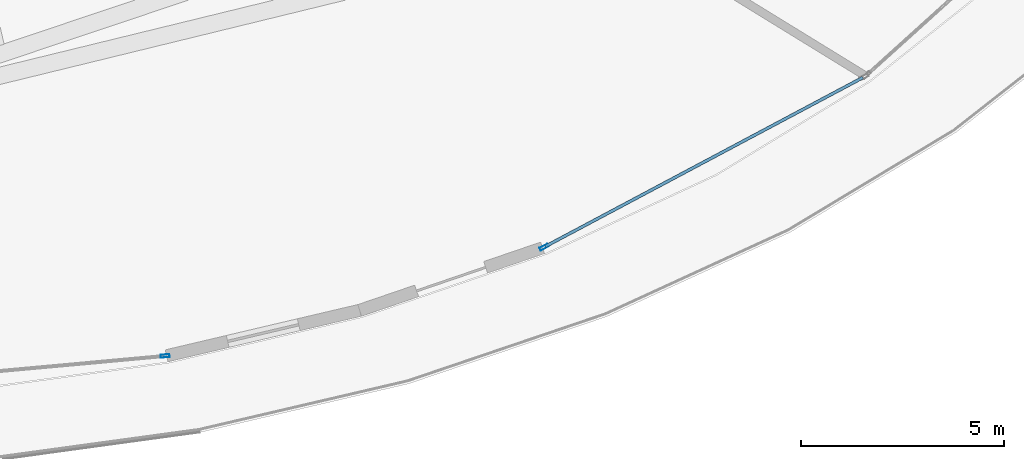
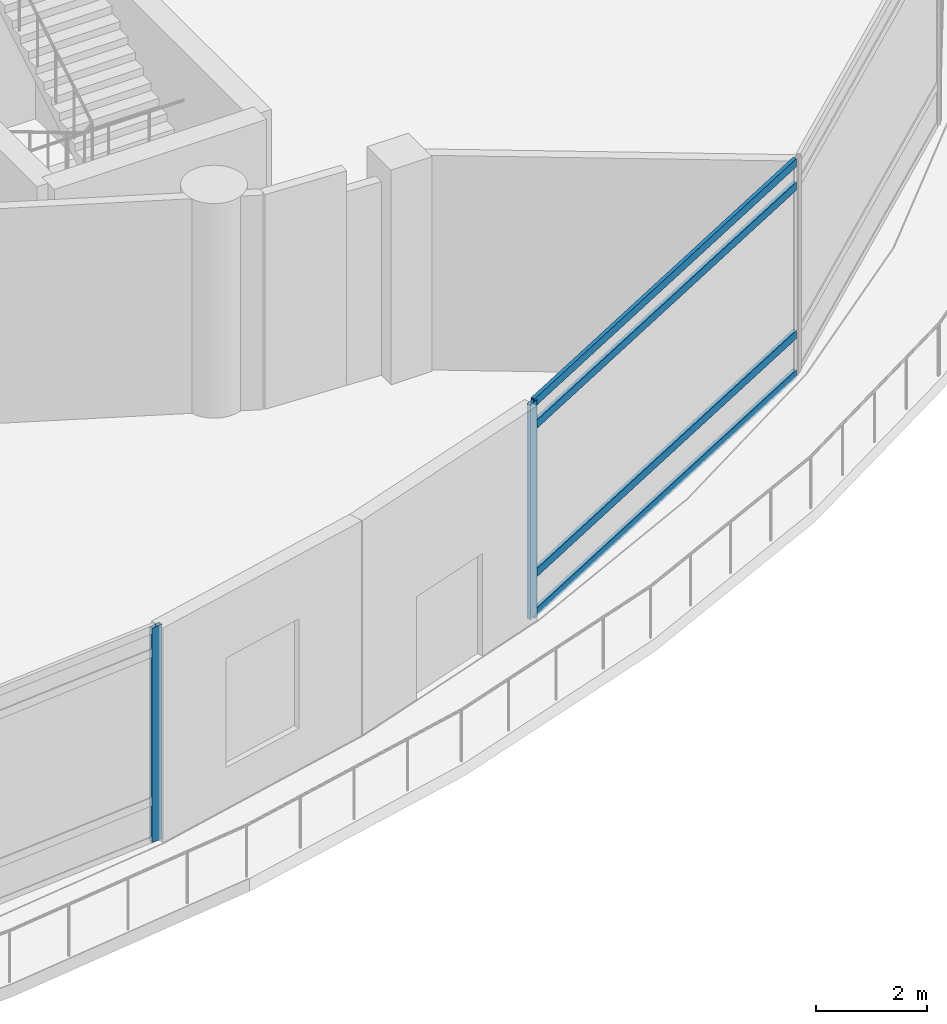
# One storey, part 11 of 37: 6 members, 2 elements without a shape of their own.
"""IFC4 building model written with IfcOpenShell, lengths in metres."""

import ifcopenshell
import ifcopenshell.guid

model = None  # the IFC model being written
_history = None  # IfcOwnerHistory: only IFC2X3 demands one
_inside = {}  # id of a spatial element -> (the spatial element, [elements in it])
_under = {}  # id of a project, library or spatial element -> (it, [spatial elements below it])
_declared = {}  # id of a project -> (the project, [libraries it declares])
_typed = {}  # id of a type object -> (the type object, [elements of that type])
_made_of = {}  # id of a material, layer set ... -> (it, [elements and type objects made of it])


def new_model(schema):
    """Start an empty IFC model of exactly this schema.

    Asked for "IFC4X3", IfcOpenShell would pick the latest addendum, in which some entities
    have other attributes; the version numbers below select the first issue.
    IFC2X3 requires an IfcOwnerHistory on every rooted entity: one is made here for all.
    """
    global model, _history
    if schema == "IFC4X3":
        model = ifcopenshell.file(schema_version=(4, 3, 0, 0))
    else:
        model = ifcopenshell.file(schema=schema)
    _inside.clear()
    _under.clear()
    _declared.clear()
    _typed.clear()
    _made_of.clear()
    _history = None
    if model.schema == "IFC2X3":
        org = make("IfcOrganization", Name="unknown")
        user = make(
            "IfcPersonAndOrganization",
            ThePerson=make("IfcPerson", FamilyName="unknown"),
            TheOrganization=org,
        )
        app = make(
            "IfcApplication",
            ApplicationDeveloper=org,
            Version="unknown",
            ApplicationFullName="unknown",
            ApplicationIdentifier="unknown",
        )
        _history = make(
            "IfcOwnerHistory",
            OwningUser=user,
            OwningApplication=app,
            ChangeAction="ADDED",
            CreationDate=0,
        )
    return model


def make(cls, **values):
    """One entity of the class cls with the attributes given. An attribute that is None is left unset."""
    return model.create_entity(
        cls, **{name: value for name, value in values.items() if value is not None}
    )


def rooted(cls, **values):
    """An entity with a GlobalId (a new one), such as an element, a storey or a relation."""
    return make(cls, GlobalId=ifcopenshell.guid.new(), OwnerHistory=_history, **values)


def si_unit(unit_type, name, prefix=None):
    """IfcSIUnit, for example si_unit("LENGTHUNIT", "METRE", prefix="MILLI")."""
    return make("IfcSIUnit", UnitType=unit_type, Prefix=prefix, Name=name)


def assignment(units):
    """IfcUnitAssignment: the units of a project."""
    return None if units is None else make("IfcUnitAssignment", Units=units)


def point(xyz):
    """IfcCartesianPoint."""
    return None if xyz is None else make("IfcCartesianPoint", Coordinates=xyz)


def direction(xyz):
    """IfcDirection."""
    return None if xyz is None else make("IfcDirection", DirectionRatios=xyz)


def frame(location, z_axis=None, x_axis=None):
    """IfcAxis2Placement3D, a coordinate frame: its origin and axes. An axis left out is left unset."""
    return make(
        "IfcAxis2Placement3D",
        Location=point(location),
        Axis=direction(z_axis),
        RefDirection=direction(x_axis),
    )


def frame_2d(location, x_axis=None):
    """IfcAxis2Placement2D, a coordinate frame in the plane: its origin and x axis."""
    return make(
        "IfcAxis2Placement2D", Location=point(location), RefDirection=direction(x_axis)
    )


def origin():
    """The frame at (0, 0, 0) with its axes left unset."""
    return frame((0.0, 0.0, 0.0))


def origin_2d():
    """The frame at (0, 0) in the plane with its x axis left unset."""
    return frame_2d((0.0, 0.0))


def place(relative_to, where):
    """IfcLocalPlacement: puts the frame where relative to a parent placement (None: the world)."""
    return make(
        "IfcLocalPlacement", PlacementRelTo=relative_to, RelativePlacement=where
    )


def context(
    kind, dimensions, precision=None, world=None, true_north=None, identifier=None
):
    """IfcGeometricRepresentationContext, for example the 3D "Model" context."""
    return make(
        "IfcGeometricRepresentationContext",
        ContextIdentifier=identifier,
        ContextType=kind,
        CoordinateSpaceDimension=dimensions,
        Precision=precision,
        WorldCoordinateSystem=world,
        TrueNorth=true_north,
    )


def subcontext(parent, identifier, kind, view, scale=None):
    """IfcGeometricRepresentationSubContext, for example "Body" below "Model"."""
    return make(
        "IfcGeometricRepresentationSubContext",
        ContextIdentifier=identifier,
        ContextType=kind,
        ParentContext=parent,
        TargetScale=scale,
        TargetView=view,
    )


def project(units=None, contexts=None):
    """IfcProject with its units and contexts."""
    return rooted(
        "IfcProject",
        Name="project",
        RepresentationContexts=contexts,
        UnitsInContext=assignment(units),
    )


def spatial(cls, under=None, at=None, **own):
    """A site, building, storey or space (cls), placed at a placement, below another one or the project."""
    s = rooted(cls, ObjectPlacement=at, **own)
    if under is not None:
        _under.setdefault(under.id(), (under, []))[1].append(s)
    return s


def profile(cls, at=None, kind="AREA", **sizes):
    """A parametric profile (cls). Its sizes go by their IFC names, for example OverallWidth=200.0."""
    return make(cls, ProfileType=kind, Position=at, **sizes)


def hollow_rectangle(**sizes):
    """IfcRectangleHollowProfileDef."""
    return profile("IfcRectangleHollowProfileDef", **sizes)


def extrude(swept, where, along, depth):
    """IfcExtrudedAreaSolid: the profile swept, set in the frame where, extruded along a direction by depth."""
    return make(
        "IfcExtrudedAreaSolid",
        SweptArea=swept,
        Position=where,
        ExtrudedDirection=direction(along),
        Depth=depth,
    )


def shape(context_of_items, identifier, shape_type, items):
    """IfcShapeRepresentation: the items that make up one representation, for example the "Body"."""
    return make(
        "IfcShapeRepresentation",
        ContextOfItems=context_of_items,
        RepresentationIdentifier=identifier,
        RepresentationType=shape_type,
        Items=items,
    )


def material(Name=None, Category=None):
    """IfcMaterial."""
    return make("IfcMaterial", Name=Name, Category=Category)


def layer(
    of_material, thickness, ventilated=None, Name=None, Category=None, Priority=None
):
    """IfcMaterialLayer: one layer of a wall or slab, of a material (None: an air gap)."""
    return make(
        "IfcMaterialLayer",
        Material=of_material,
        LayerThickness=thickness,
        IsVentilated=ventilated,
        Name=Name,
        Category=Category,
        Priority=Priority,
    )


def layer_set(layers, Name=None):
    """IfcMaterialLayerSet."""
    return make("IfcMaterialLayerSet", MaterialLayers=layers, LayerSetName=Name)


def material_profile(
    of_material, cross_section, Name=None, Category=None, Priority=None
):
    """IfcMaterialProfile: a cross section and its material."""
    return make(
        "IfcMaterialProfile",
        Name=Name,
        Material=of_material,
        Profile=cross_section,
        Priority=Priority,
        Category=Category,
    )


def profile_set(profiles, Name=None, composite=None):
    """IfcMaterialProfileSet."""
    return make(
        "IfcMaterialProfileSet",
        Name=Name,
        MaterialProfiles=profiles,
        CompositeProfile=composite,
    )


def made_of(thing, what):
    """Note that an element or type object is made of a material, layer set ...; save() writes the relation."""
    if what is not None:
        _made_of.setdefault(what.id(), (what, []))[1].append(thing)
    return thing


def type_object(cls, material=None, **own):
    """A type object (cls), such as IfcWallType, which elements share."""
    return made_of(rooted(cls, **own), material)


def element(
    cls,
    number,
    at=None,
    inside=None,
    cuts=None,
    type_object=None,
    material=None,
    context=None,
    identifier="Body",
    shape_type=None,
    held_by="IfcProductDefinitionShape",
    body=None,
    shapes=None,
    **own,
):
    """One element of the class cls, such as IfcWall. Its Tag is "e" and its number.

    at: its placement. inside: the storey or other place that contains it. cuts: it is an
    opening in that element (IfcRelVoidsElement). A single representation is given by context,
    identifier, shape_type and body (its items); several are given by shapes. held_by: the class
    of the entity that holds the representations. save() writes the other relations.
    """
    e = rooted(cls, Tag="e%d" % number, ObjectPlacement=at, **own)
    if body is not None:
        shapes = [shape(context, identifier, shape_type, body)]
    if shapes is not None:
        e.Representation = make(held_by, Representations=shapes)
    if inside is not None:
        _inside.setdefault(inside.id(), (inside, []))[1].append(e)
    if cuts is not None:
        rooted(
            "IfcRelVoidsElement", RelatingBuildingElement=cuts, RelatedOpeningElement=e
        )
    if type_object is not None:
        _typed.setdefault(type_object.id(), (type_object, []))[1].append(e)
    return made_of(e, material)


def aggregate(whole, parts):
    """IfcRelAggregates: a whole, such as a stair, and the parts it consists of."""
    return rooted("IfcRelAggregates", RelatingObject=whole, RelatedObjects=parts)


def save(model, path):
    """Write the relations noted so far, then the file.

    IfcRelAggregates (storeys below a building ...), IfcRelContainedInSpatialStructure (elements
    in a storey), IfcRelDefinesByType, IfcRelAssociatesMaterial and IfcRelDeclares: one each for
    every whole, place, type object, material and project.
    """
    for whole, parts in _under.values():
        aggregate(whole, parts)
    for where, things in _inside.values():
        rooted(
            "IfcRelContainedInSpatialStructure",
            RelatedElements=things,
            RelatingStructure=where,
        )
    for kind, things in _typed.values():
        rooted("IfcRelDefinesByType", RelatedObjects=things, RelatingType=kind)
    for what, things in _made_of.values():
        rooted("IfcRelAssociatesMaterial", RelatedObjects=things, RelatingMaterial=what)
    for by, libraries in _declared.values():
        rooted("IfcRelDeclares", RelatingContext=by, RelatedDefinitions=libraries)
    model.write(path)


model = new_model("IFC4")

# Units and contexts
model_context = context("Model", 3, precision=1e-05, world=origin(), true_north=direction((0.0, 1.0)))
body_context = subcontext(model_context, "Body", "Model", "MODEL_VIEW")
ifc_project = project(units=[si_unit("LENGTHUNIT", "METRE"), si_unit("AREAUNIT", "SQUARE_METRE"), si_unit("VOLUMEUNIT", "CUBIC_METRE"), si_unit("PLANEANGLEUNIT", "RADIAN"), si_unit("MASSUNIT", "GRAM", prefix="KILO")], contexts=[model_context])

# Site, building, storey
site_placement = place(None, origin())
site = spatial("IfcSite", under=ifc_project, at=site_placement, CompositionType="ELEMENT")
building_placement = place(site_placement, origin())
building = spatial("IfcBuilding", under=site, at=building_placement, Name="Nuhasar Tower", CompositionType="ELEMENT")
storey_placement = place(building_placement, frame((0.0, 0.0, 6.0)))
storey = spatial("IfcBuildingStorey", under=building, at=storey_placement, Name="L01", CompositionType="ELEMENT", Elevation=6.0)

# Curtain wall, member
ifc_material = material(Name="Aluminium 6063-T6", Category="aluminium")
ifc_layer = layer(ifc_material, 0.219970703125)
ifc_layer_set = layer_set([ifc_layer], Name="Aluminium 6063-T6")
curtain_wall_type = type_object("IfcCurtainWallType", Name="CW-PODIUM", PredefinedType="NOTDEFINED", material=ifc_layer_set)
curtain_wall_1_placement = place(storey_placement, origin())
curtain_wall_1 = element("IfcCurtainWall", 1, at=curtain_wall_1_placement, inside=storey, type_object=curtain_wall_type, Name="L01 Podium Curtain Wall Bay 19", PredefinedType="NOTDEFINED")
ifc_material_profile_1 = material_profile(ifc_material, hollow_rectangle(XDim=0.074951171875, YDim=0.219970703125, WallThickness=0.0048828125, at=origin_2d()), Name="CWM-1")
ifc_profile_set_1 = profile_set([ifc_material_profile_1], Name="Aluminium 6063-T6")
member_type_1 = type_object("IfcMemberType", Name="CW-MUL-S1", PredefinedType="MULLION", material=ifc_profile_set_1)
member_1_placement = place(storey_placement, frame((48.91162109375, 1.064697265625, 0.0), z_axis=(0.0, 0.0, 1.0), x_axis=(-0.090887719437, 0.995861146172, 0.0)))
member_1 = element("IfcMember", 2, at=member_1_placement, type_object=member_type_1, Name="CW-P1 mullion 2", PredefinedType="MULLION", context=body_context, shape_type="SweptSolid", body=[
    extrude(hollow_rectangle(XDim=0.074951171875, YDim=0.219970703125, WallThickness=0.0048828125, at=origin_2d()), origin(), (0.0, 0.0, 1.0), 4.699951171875),
])
aggregate(curtain_wall_1, [member_1])

# Curtain wall, members
curtain_wall_2_placement = place(storey_placement, origin())
curtain_wall_2 = element("IfcCurtainWall", 3, at=curtain_wall_2_placement, inside=storey, type_object=curtain_wall_type, Name="L01 Podium Curtain Wall Bay 21", PredefinedType="NOTDEFINED")
member_2_placement = place(storey_placement, frame((58.253173828125, 3.74658203125, 0.0), z_axis=(0.0, 0.0, 1.0), x_axis=(-0.469563312429, 0.882898802593, 0.0)))
member_2 = element("IfcMember", 4, at=member_2_placement, type_object=member_type_1, Name="CW-P1 mullion 1", PredefinedType="MULLION", context=body_context, shape_type="SweptSolid", body=[
    extrude(hollow_rectangle(XDim=0.074951171875, YDim=0.219970703125, WallThickness=0.0048828125, at=origin_2d()), origin(), (0.0, 0.0, 1.0), 4.699951171875),
])
ifc_material_profile_2 = material_profile(ifc_material, hollow_rectangle(XDim=0.074951171875, YDim=0.179931640625, WallThickness=0.00439453125, at=origin_2d()), Name="CWT-1")
ifc_profile_set_2 = profile_set([ifc_material_profile_2], Name="Aluminium 6063-T6")
member_type_2 = type_object("IfcMemberType", Name="CW-TRN-S1", PredefinedType="USERDEFINED", material=ifc_profile_set_2)
member_3_placement = place(storey_placement, frame((58.2861328125, 3.76416015625, 0.03759765625), z_axis=(0.882899591214, 0.469561829619, 0.0), x_axis=(-0.469561829619, 0.882899591214, 0.0)))
member_3 = element("IfcMember", 5, at=member_3_placement, type_object=member_type_2, Name="CW-P1 transom 1.1", ObjectType="TRANSOM", PredefinedType="USERDEFINED", context=body_context, shape_type="SweptSolid", body=[
    extrude(hollow_rectangle(XDim=0.074951171875, YDim=0.179931640625, WallThickness=0.00439453125, at=origin_2d()), origin(), (0.0, 0.0, 1.0), 8.866943359375),
])
member_4_placement = place(storey_placement, frame((58.2861328125, 3.76416015625, 0.89990234375), z_axis=(0.882899591214, 0.469561829619, 0.0), x_axis=(-0.469561829619, 0.882899591214, 0.0)))
member_4 = element("IfcMember", 6, at=member_4_placement, type_object=member_type_2, Name="CW-P1 transom 1.2", ObjectType="TRANSOM", PredefinedType="USERDEFINED", context=body_context, shape_type="SweptSolid", body=[
    extrude(hollow_rectangle(XDim=0.074951171875, YDim=0.179931640625, WallThickness=0.00439453125, at=origin_2d()), origin(), (0.0, 0.0, 1.0), 8.866943359375),
])
member_5_placement = place(storey_placement, frame((58.2861328125, 3.76416015625, 4.14990234375), z_axis=(0.882899591214, 0.469561829619, 0.0), x_axis=(-0.469561829619, 0.882899591214, 0.0)))
member_5 = element("IfcMember", 7, at=member_5_placement, type_object=member_type_2, Name="CW-P1 transom 1.3", ObjectType="TRANSOM", PredefinedType="USERDEFINED", context=body_context, shape_type="SweptSolid", body=[
    extrude(hollow_rectangle(XDim=0.074951171875, YDim=0.179931640625, WallThickness=0.00439453125, at=origin_2d()), origin(), (0.0, 0.0, 1.0), 8.866943359375),
])
member_6_placement = place(storey_placement, frame((58.2861328125, 3.76416015625, 4.66259765625), z_axis=(0.882899591214, 0.469561829619, 0.0), x_axis=(-0.469561829619, 0.882899591214, 0.0)))
member_6 = element("IfcMember", 8, at=member_6_placement, type_object=member_type_2, Name="CW-P1 transom 1.4", ObjectType="TRANSOM", PredefinedType="USERDEFINED", context=body_context, shape_type="SweptSolid", body=[
    extrude(hollow_rectangle(XDim=0.074951171875, YDim=0.179931640625, WallThickness=0.00439453125, at=origin_2d()), origin(), (0.0, 0.0, 1.0), 8.866943359375),
])
aggregate(curtain_wall_2, [member_2, member_3, member_4, member_5, member_6])

save(model, "model.ifc")
